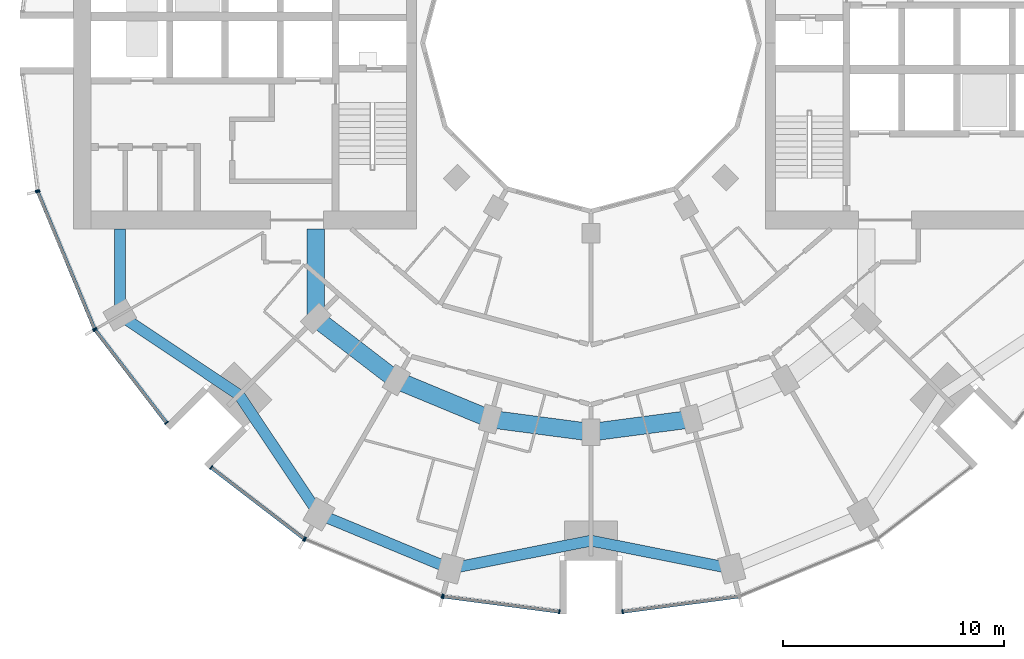
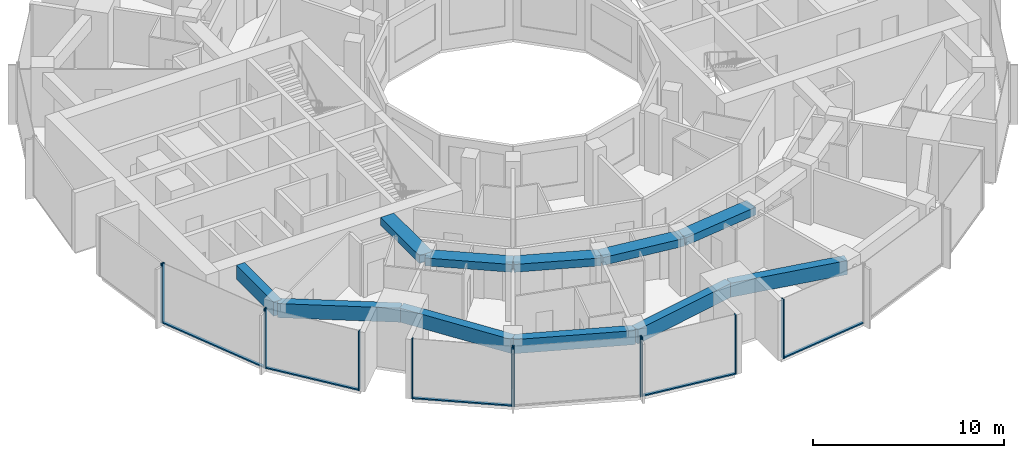
# One storey, part 2 of 15: 17 members, 11 beams, 7 elements without a shape of their own.
"""IFC4 building model written with IfcOpenShell, lengths in metres."""

from ifc_helpers import new_model, si_unit, direction, frame, origin, origin_2d, place, context, subcontext, project, spatial, rectangle, extrude, material, layer, layer_set, material_profile, profile_set, type_object, element, aggregate, save


model = new_model("IFC4")

# Units and contexts
model_context = context("Model", 3, precision=1e-05, world=origin(), true_north=direction((0.0, 1.0)))
body_context = subcontext(model_context, "Body", "Model", "MODEL_VIEW")
ifc_project = project(units=[si_unit("LENGTHUNIT", "METRE"), si_unit("AREAUNIT", "SQUARE_METRE"), si_unit("VOLUMEUNIT", "CUBIC_METRE"), si_unit("PLANEANGLEUNIT", "RADIAN"), si_unit("MASSUNIT", "GRAM", prefix="KILO")], contexts=[model_context])

# Site, building, storey
site_placement = place(None, origin())
site = spatial("IfcSite", under=ifc_project, at=site_placement, CompositionType="ELEMENT")
building_placement = place(site_placement, origin())
building = spatial("IfcBuilding", under=site, at=building_placement, Name="Torre Brocal", CompositionType="ELEMENT")
storey_placement = place(building_placement, frame((0.0, 0.0, 59.199951171875)))
storey = spatial("IfcBuildingStorey", under=building, at=storey_placement, Name="L13", CompositionType="ELEMENT", Elevation=59.199951171875)

# Curtain wall, members
ifc_material_1 = material(Name="Aluminium and glass", Category="aluminium")
ifc_layer_1 = layer(ifc_material_1, 0.199951171875)
ifc_layer_set_1 = layer_set([ifc_layer_1], Name="Aluminium and glass")
curtain_wall_type_1 = type_object("IfcCurtainWallType", Name="CW-1 CURTAIN WALL 3800 HIGH", PredefinedType="NOTDEFINED", material=ifc_layer_set_1)
curtain_wall_1_placement = place(storey_placement, origin())
curtain_wall_1 = element("IfcCurtainWall", 1, at=curtain_wall_1_placement, inside=storey, type_object=curtain_wall_type_1, Name="CW-1 RUN 14", PredefinedType="NOTDEFINED")
ifc_material_2 = material(Name="Aluminium, dark anodised", Category="aluminium")
ifc_material_profile_1 = material_profile(ifc_material_2, rectangle(XDim=0.199951171875, YDim=0.06005859375, at=origin_2d()), Name="CW-1 MULLION 60X200")
ifc_profile_set_1 = profile_set([ifc_material_profile_1], Name="Aluminium, dark anodised")
member_type_1 = type_object("IfcMemberType", Name="CW-1 MULLION 60X200", PredefinedType="MULLION", material=ifc_profile_set_1)
member_1_placement = place(storey_placement, frame((54.994873046875, 68.26904296875, 0.0), z_axis=(0.0, 0.0, 1.0), x_axis=(0.923879532525, 0.382683432333, 0.0)))
member_1 = element("IfcMember", 2, at=member_1_placement, type_object=member_type_1, Name="CW1-1 mullion 1", PredefinedType="MULLION", context=body_context, shape_type="SweptSolid", body=[
    extrude(rectangle(XDim=0.199951171875, YDim=0.06005859375, at=origin_2d()), origin(), (0.0, 0.0, 1.0), 3.800048828125),
])
member_2_placement = place(storey_placement, frame((57.559326171875, 62.078125, 0.0), z_axis=(0.0, 0.0, 1.0), x_axis=(0.923879532525, 0.382683432333, 0.0)))
member_2 = element("IfcMember", 3, at=member_2_placement, type_object=member_type_1, Name="CW1-1 mullion 2", PredefinedType="MULLION", context=body_context, shape_type="SweptSolid", body=[
    extrude(rectangle(XDim=0.199951171875, YDim=0.06005859375, at=origin_2d()), origin(), (0.0, 0.0, 1.0), 3.800048828125),
])

curtain_wall_2_placement = place(storey_placement, origin())
curtain_wall_2 = element("IfcCurtainWall", 4, at=curtain_wall_2_placement, inside=storey, type_object=curtain_wall_type_1, Name="CW-1 RUN 15", PredefinedType="NOTDEFINED")
member_3_placement = place(storey_placement, frame((57.5888671875, 62.026611328125, 0.0), z_axis=(0.0, 0.0, 1.0), x_axis=(0.793353340259, 0.60876142905, 0.0)))
member_3 = element("IfcMember", 5, at=member_3_placement, type_object=member_type_1, Name="CW1-1 mullion 1", PredefinedType="MULLION", context=body_context, shape_type="SweptSolid", body=[
    extrude(rectangle(XDim=0.199951171875, YDim=0.06005859375, at=origin_2d()), origin(), (0.0, 0.0, 1.0), 3.800048828125),
])
member_4_placement = place(storey_placement, frame((60.80859375, 57.83056640625, 0.0), z_axis=(0.0, 0.0, 1.0), x_axis=(0.793353340259, 0.60876142905, 0.0)))
member_4 = element("IfcMember", 6, at=member_4_placement, type_object=member_type_1, Name="CW1-1 mullion 2", PredefinedType="MULLION", context=body_context, shape_type="SweptSolid", body=[
    extrude(rectangle(XDim=0.199951171875, YDim=0.06005859375, at=origin_2d()), origin(), (0.0, 0.0, 1.0), 3.800048828125),
])

curtain_wall_3_placement = place(storey_placement, origin())
curtain_wall_3 = element("IfcCurtainWall", 7, at=curtain_wall_3_placement, inside=storey, type_object=curtain_wall_type_1, Name="CW-1 RUN 16", PredefinedType="NOTDEFINED")
member_5_placement = place(storey_placement, frame((62.83056640625, 55.80859375, 0.0), z_axis=(0.0, 0.0, 1.0), x_axis=(0.60876142905, 0.793353340259, 0.0)))
member_5 = element("IfcMember", 8, at=member_5_placement, type_object=member_type_1, Name="CW1-1 mullion 1", PredefinedType="MULLION", context=body_context, shape_type="SweptSolid", body=[
    extrude(rectangle(XDim=0.199951171875, YDim=0.06005859375, at=origin_2d()), origin(), (0.0, 0.0, 1.0), 3.800048828125),
])
member_6_placement = place(storey_placement, frame((67.026611328125, 52.5888671875, 0.0), z_axis=(0.0, 0.0, 1.0), x_axis=(0.60876142905, 0.793353340259, 0.0)))
member_6 = element("IfcMember", 9, at=member_6_placement, type_object=member_type_1, Name="CW1-1 mullion 2", PredefinedType="MULLION", context=body_context, shape_type="SweptSolid", body=[
    extrude(rectangle(XDim=0.199951171875, YDim=0.06005859375, at=origin_2d()), origin(), (0.0, 0.0, 1.0), 3.800048828125),
])

curtain_wall_4_placement = place(storey_placement, origin())
curtain_wall_4 = element("IfcCurtainWall", 10, at=curtain_wall_4_placement, inside=storey, type_object=curtain_wall_type_1, Name="CW-1 RUN 17", PredefinedType="NOTDEFINED")
member_7_placement = place(storey_placement, frame((67.078125, 52.559326171875, 0.0), z_axis=(0.0, 0.0, 1.0), x_axis=(0.382683432333, 0.923879532525, 0.0)))
member_7 = element("IfcMember", 11, at=member_7_placement, type_object=member_type_1, Name="CW1-1 mullion 1", PredefinedType="MULLION", context=body_context, shape_type="SweptSolid", body=[
    extrude(rectangle(XDim=0.199951171875, YDim=0.06005859375, at=origin_2d()), origin(), (0.0, 0.0, 1.0), 3.800048828125),
])
member_8_placement = place(storey_placement, frame((73.26904296875, 49.994873046875, 0.0), z_axis=(0.0, 0.0, 1.0), x_axis=(0.382683432333, 0.923879532525, 0.0)))
member_8 = element("IfcMember", 12, at=member_8_placement, type_object=member_type_1, Name="CW1-1 mullion 2", PredefinedType="MULLION", context=body_context, shape_type="SweptSolid", body=[
    extrude(rectangle(XDim=0.199951171875, YDim=0.06005859375, at=origin_2d()), origin(), (0.0, 0.0, 1.0), 3.800048828125),
])
aggregate(curtain_wall_4, [member_7, member_8])

curtain_wall_5_placement = place(storey_placement, origin())
curtain_wall_5 = element("IfcCurtainWall", 13, at=curtain_wall_5_placement, inside=storey, type_object=curtain_wall_type_1, Name="CW-1 RUN 18", PredefinedType="NOTDEFINED")
member_9_placement = place(storey_placement, frame((73.32666015625, 49.9794921875, 0.0), z_axis=(0.0, 0.0, 1.0), x_axis=(0.13052619222, 0.991444861374, 0.0)))
member_9 = element("IfcMember", 14, at=member_9_placement, type_object=member_type_1, Name="CW1-1 mullion 1", PredefinedType="MULLION", context=body_context, shape_type="SweptSolid", body=[
    extrude(rectangle(XDim=0.199951171875, YDim=0.06005859375, at=origin_2d()), origin(), (0.0, 0.0, 1.0), 3.800048828125),
])
member_10_placement = place(storey_placement, frame((78.5703125, 49.2890625, 0.0), z_axis=(0.0, 0.0, 1.0), x_axis=(0.13052619222, 0.991444861374, 0.0)))
member_10 = element("IfcMember", 15, at=member_10_placement, type_object=member_type_1, Name="CW1-1 mullion 2", PredefinedType="MULLION", context=body_context, shape_type="SweptSolid", body=[
    extrude(rectangle(XDim=0.199951171875, YDim=0.06005859375, at=origin_2d()), origin(), (0.0, 0.0, 1.0), 3.800048828125),
])

# Curtain wall, member
curtain_wall_6_placement = place(storey_placement, origin())
curtain_wall_6 = element("IfcCurtainWall", 16, at=curtain_wall_6_placement, inside=storey, type_object=curtain_wall_type_1, Name="CW-1 RUN 19", PredefinedType="NOTDEFINED")
member_11_placement = place(storey_placement, frame((81.4296875, 49.2890625, 0.0), z_axis=(0.0, 0.0, 1.0), x_axis=(-0.13052619222, 0.991444861374, 0.0)))
member_11 = element("IfcMember", 17, at=member_11_placement, type_object=member_type_1, Name="CW1-1 mullion 1", PredefinedType="MULLION", context=body_context, shape_type="SweptSolid", body=[
    extrude(rectangle(XDim=0.199951171875, YDim=0.06005859375, at=origin_2d()), origin(), (0.0, 0.0, 1.0), 3.800048828125),
])

# Member
ifc_material_3 = material(Name="Aluminium, dark anodised", Category="aluminium")
ifc_material_profile_2 = material_profile(ifc_material_3, rectangle(XDim=0.159912109375, YDim=0.080078125, at=origin_2d()), Name="CW-1 TRANSOM 160X80")
ifc_profile_set_2 = profile_set([ifc_material_profile_2], Name="Aluminium, dark anodised")
member_type_2 = type_object("IfcMemberType", Name="CW-1 TRANSOM 160X80", PredefinedType="USERDEFINED", material=ifc_profile_set_2)
member_12_placement = place(storey_placement, frame((55.00634765625, 68.241455078125, 0.0400390625), z_axis=(0.38266457234, -0.923887344364, 0.0), x_axis=(0.923887344364, 0.38266457234, 0.0)))
member_12 = element("IfcMember", 18, at=member_12_placement, type_object=member_type_2, Name="CW1-1 transom 1.1", ObjectType="TRANSOM", PredefinedType="USERDEFINED", context=body_context, shape_type="SweptSolid", body=[
    extrude(rectangle(XDim=0.159912109375, YDim=0.080078125, at=origin_2d()), origin(), (0.0, 0.0, 1.0), 6.640869140625),
])

aggregate(curtain_wall_1, [member_1, member_2, member_12])

member_13_placement = place(storey_placement, frame((57.607177734375, 62.0029296875, 0.0400390625), z_axis=(0.60874908096, -0.79336281513, 0.0), x_axis=(0.79336281513, 0.60874908096, 0.0)))
member_13 = element("IfcMember", 19, at=member_13_placement, type_object=member_type_2, Name="CW1-1 transom 1.1", ObjectType="TRANSOM", PredefinedType="USERDEFINED", context=body_context, shape_type="SweptSolid", body=[
    extrude(rectangle(XDim=0.159912109375, YDim=0.080078125, at=origin_2d()), origin(), (0.0, 0.0, 1.0), 5.22900390625),
])

aggregate(curtain_wall_2, [member_3, member_4, member_13])

member_14_placement = place(storey_placement, frame((62.8544921875, 55.790283203125, 0.0400390625), z_axis=(0.79336281513, -0.60874908096, 0.0), x_axis=(0.60874908096, 0.79336281513, 0.0)))
member_14 = element("IfcMember", 20, at=member_14_placement, type_object=member_type_2, Name="CW1-1 transom 1.1", ObjectType="TRANSOM", PredefinedType="USERDEFINED", context=body_context, shape_type="SweptSolid", body=[
    extrude(rectangle(XDim=0.159912109375, YDim=0.080078125, at=origin_2d()), origin(), (0.0, 0.0, 1.0), 5.22900390625),
])

aggregate(curtain_wall_3, [member_5, member_6, member_14])

member_15_placement = place(storey_placement, frame((73.356201171875, 49.9755859375, 0.0400390625), z_axis=(0.991442690863, -0.130542677827, 0.0), x_axis=(0.130542677827, 0.991442690863, 0.0)))
member_15 = element("IfcMember", 21, at=member_15_placement, type_object=member_type_2, Name="CW1-1 transom 1.1", ObjectType="TRANSOM", PredefinedType="USERDEFINED", context=body_context, shape_type="SweptSolid", body=[
    extrude(rectangle(XDim=0.159912109375, YDim=0.080078125, at=origin_2d()), origin(), (0.0, 0.0, 1.0), 5.22900390625),
])

aggregate(curtain_wall_5, [member_9, member_10, member_15])

member_16_placement = place(storey_placement, frame((81.45947265625, 49.29296875, 0.0400390625), z_axis=(0.991442690863, 0.130542677827, 0.0), x_axis=(-0.130542677827, 0.991442690863, 0.0)))
member_16 = element("IfcMember", 22, at=member_16_placement, type_object=member_type_2, Name="CW1-1 transom 1.1", ObjectType="TRANSOM", PredefinedType="USERDEFINED", context=body_context, shape_type="SweptSolid", body=[
    extrude(rectangle(XDim=0.159912109375, YDim=0.080078125, at=origin_2d()), origin(), (0.0, 0.0, 1.0), 5.22900390625),
])

aggregate(curtain_wall_6, [member_11, member_16])

# Curtain wall, member
ifc_material_4 = material(Name="Aluminium and glass", Category="aluminium")
ifc_layer_2 = layer(ifc_material_4, 0.199951171875)
ifc_layer_set_2 = layer_set([ifc_layer_2], Name="Aluminium and glass")
curtain_wall_type_2 = type_object("IfcCurtainWallType", Name="CW-1B CURTAIN WALL 3800 HIGH", PredefinedType="NOTDEFINED", material=ifc_layer_set_2)
curtain_wall_7_placement = place(storey_placement, origin())
curtain_wall_7 = element("IfcCurtainWall", 23, at=curtain_wall_7_placement, inside=storey, type_object=curtain_wall_type_2, Name="CW-1B RUN 13", PredefinedType="NOTDEFINED")
ifc_material_5 = material(Name="Aluminium, dark anodised", Category="aluminium")
ifc_material_profile_3 = material_profile(ifc_material_5, rectangle(XDim=0.199951171875, YDim=0.06005859375, at=origin_2d()), Name="CW-1B MULLION 60X200")
ifc_profile_set_3 = profile_set([ifc_material_profile_3], Name="Aluminium, dark anodised")
member_type_3 = type_object("IfcMemberType", Name="CW-1B MULLION 60X200", PredefinedType="MULLION", material=ifc_profile_set_3)
member_17_placement = place(storey_placement, frame((54.9794921875, 68.32666015625, 0.0), z_axis=(0.0, 0.0, 1.0), x_axis=(0.991444861374, 0.13052619222, 0.0)))
member_17 = element("IfcMember", 24, at=member_17_placement, type_object=member_type_3, Name="CW1B-1 mullion 2", PredefinedType="MULLION", context=body_context, shape_type="SweptSolid", body=[
    extrude(rectangle(XDim=0.199951171875, YDim=0.06005859375, at=origin_2d()), origin(), (0.0, 0.0, 1.0), 3.800048828125),
])
aggregate(curtain_wall_7, [member_17])

# Beams
ifc_material_6 = material(Name="Concrete C50", Category="concrete")
ifc_material_profile_4 = material_profile(ifc_material_6, rectangle(XDim=0.800048828125, YDim=0.5, at=origin_2d()), Name="RC 800X500")
ifc_profile_set_4 = profile_set([ifc_material_profile_4], Name="Concrete C50")
beam_type_1 = type_object("IfcBeamType", Name="RC BEAM 800X500 C50 TOP 3480", PredefinedType="BEAM", material=ifc_profile_set_4)
beam_1_placement = place(storey_placement, frame((67.554931640625, 62.554931640625, 3.22998046875), z_axis=(0.0, 1.0, 0.0), x_axis=(-1.0, 0.0, 0.0)))
element("IfcBeam", 25, at=beam_1_placement, inside=storey, type_object=beam_type_1, Name="Beam BT-19", PredefinedType="BEAM", context=body_context, shape_type="SweptSolid", body=[
    extrude(rectangle(XDim=0.800048828125, YDim=0.5, at=origin_2d()), origin(), (0.0, 0.0, 1.0), 4.045166015625),
])
beam_2_placement = place(storey_placement, frame((67.554931640625, 62.554931640625, 3.22998046875), z_axis=(0.793358265959, -0.6087550097, 0.0), x_axis=(0.6087550097, 0.793358265959, 0.0)))
element("IfcBeam", 26, at=beam_2_placement, inside=storey, type_object=beam_type_1, Name="Beam BT-19", PredefinedType="BEAM", context=body_context, shape_type="SweptSolid", body=[
    extrude(rectangle(XDim=0.800048828125, YDim=0.5, at=origin_2d()), origin(), (0.0, 0.0, 1.0), 4.594482421875),
])
beam_3_placement = place(storey_placement, frame((71.199951171875, 59.758056640625, 3.22998046875), z_axis=(0.923878240166, -0.382686552348, 0.0), x_axis=(0.382686552348, 0.923878240166, 0.0)))
element("IfcBeam", 27, at=beam_3_placement, inside=storey, type_object=beam_type_1, Name="Beam BT-19", PredefinedType="BEAM", context=body_context, shape_type="SweptSolid", body=[
    extrude(rectangle(XDim=0.800048828125, YDim=0.5, at=origin_2d()), origin(), (0.0, 0.0, 1.0), 4.5947265625),
])
for number, where, z_axis, x_axis, name in (
    (28, (75.44482421875, 57.999755859375, 3.22998046875), (0.991440544449, -0.130558978332, 0.0), (0.130558978332, 0.991440544449, 0.0), "Beam BT-19"),
    (29, (80.0, 57.39990234375, 3.22998046875), (0.991440544449, 0.130558978332, 0.0), (-0.130558978332, 0.991440544449, 0.0), "Beam BT-19"),
):
    element("IfcBeam", number, at=place(storey_placement, frame(where, z_axis=z_axis, x_axis=x_axis)), inside=storey, type_object=beam_type_1, Name=name, PredefinedType="BEAM", context=body_context, shape_type="SweptSolid", body=[
        extrude(rectangle(XDim=0.800048828125, YDim=0.5, at=origin_2d()), origin(), (0.0, 0.0, 1.0), 4.594482421875),
    ])
ifc_material_7 = material(Name="Concrete C50", Category="concrete")
ifc_material_profile_5 = material_profile(ifc_material_7, rectangle(XDim=0.5, YDim=0.89990234375, at=origin_2d()), Name="RC 500X900")
ifc_profile_set_5 = profile_set([ifc_material_profile_5], Name="Concrete C50")
beam_type_2 = type_object("IfcBeamType", Name="RC SPANDREL BEAM 500X900 C50 TOP 3480", PredefinedType="SPANDREL", material=ifc_profile_set_5)
beam_4_placement = place(storey_placement, frame((58.69580078125, 62.699951171875, 3.030029296875), z_axis=(0.0, 1.0, 0.0), x_axis=(-1.0, 0.0, 0.0)))
element("IfcBeam", 30, at=beam_4_placement, inside=storey, type_object=beam_type_2, Name="Beam BT-20", PredefinedType="SPANDREL", context=body_context, shape_type="SweptSolid", body=[
    extrude(rectangle(XDim=0.5, YDim=0.89990234375, at=origin_2d()), origin(), (0.0, 0.0, 1.0), 3.900146484375),
])
for number, where, z_axis, x_axis, name in (
    (31, (58.69580078125, 62.699951171875, 3.030029296875), (0.831076844476, -0.556157602282, 0.0), (0.556157602282, 0.831076844476, 0.0), "Beam BT-20"),
    (32, (64.090087890625, 59.090087890625, 3.030029296875), (0.556157602282, -0.831076844476, 0.0), (0.831076844476, 0.556157602282, 0.0), "Beam BT-20"),
):
    element("IfcBeam", number, at=place(storey_placement, frame(where, z_axis=z_axis, x_axis=x_axis)), inside=storey, type_object=beam_type_2, Name=name, PredefinedType="SPANDREL", context=body_context, shape_type="SweptSolid", body=[
        extrude(rectangle(XDim=0.5, YDim=0.89990234375, at=origin_2d()), origin(), (0.0, 0.0, 1.0), 6.49072265625),
    ])
beam_5_placement = place(storey_placement, frame((67.699951171875, 53.69580078125, 3.030029296875), z_axis=(0.923882462513, -0.382676358639, 0.0), x_axis=(0.382676358639, 0.923882462513, 0.0)))
element("IfcBeam", 33, at=beam_5_placement, inside=storey, type_object=beam_type_2, Name="Beam BT-20", PredefinedType="SPANDREL", context=body_context, shape_type="SweptSolid", body=[
    extrude(rectangle(XDim=0.5, YDim=0.89990234375, at=origin_2d()), origin(), (0.0, 0.0, 1.0), 6.421875),
])
for number, where, z_axis, x_axis, name in (
    (34, (73.633056640625, 51.23828125, 3.030029296875), (0.980924907484, 0.194387051723, 0.0), (-0.194387051723, 0.980924907484, 0.0), "Beam BT-20"),
    (35, (80.0, 52.5, 3.030029296875), (0.980924907484, -0.194387051723, 0.0), (0.194387051723, 0.980924907484, 0.0), "Beam BT-20"),
):
    element("IfcBeam", number, at=place(storey_placement, frame(where, z_axis=z_axis, x_axis=x_axis)), inside=storey, type_object=beam_type_2, Name=name, PredefinedType="SPANDREL", context=body_context, shape_type="SweptSolid", body=[
        extrude(rectangle(XDim=0.5, YDim=0.89990234375, at=origin_2d()), origin(), (0.0, 0.0, 1.0), 6.49072265625),
    ])

save(model, "model.ifc")
